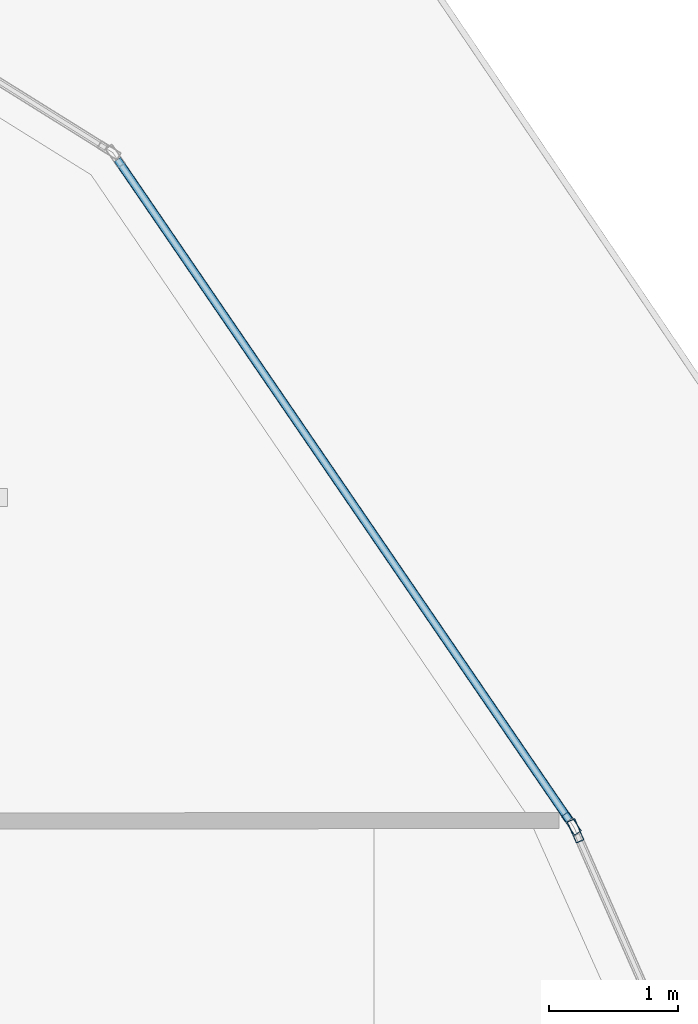
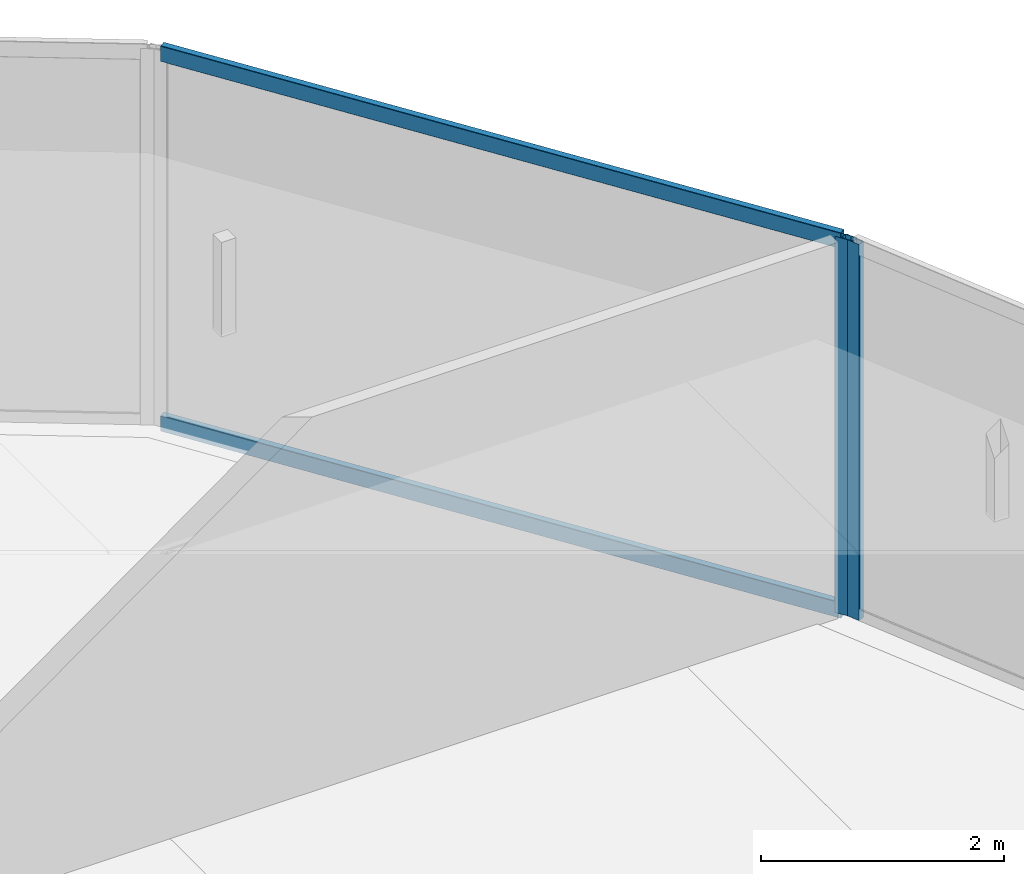
# One storey, part 21 of 37: 4 members, 2 elements without a shape of their own.
"""IFC4 building model written with IfcOpenShell, lengths in metres."""

from ifc_helpers import new_model, si_unit, direction, frame, origin, origin_2d, place, context, subcontext, project, spatial, hollow_rectangle, extrude, material, layer, layer_set, material_profile, profile_set, type_object, element, aggregate, save


model = new_model("IFC4")

# Units and contexts
model_context = context("Model", 3, precision=1e-05, world=origin(), true_north=direction((0.0, 1.0)))
body_context = subcontext(model_context, "Body", "Model", "MODEL_VIEW")
ifc_project = project(units=[si_unit("LENGTHUNIT", "METRE"), si_unit("AREAUNIT", "SQUARE_METRE"), si_unit("VOLUMEUNIT", "CUBIC_METRE"), si_unit("PLANEANGLEUNIT", "RADIAN"), si_unit("MASSUNIT", "GRAM", prefix="KILO")], contexts=[model_context])

# Site, building, storey
site_placement = place(None, origin())
site = spatial("IfcSite", under=ifc_project, at=site_placement, CompositionType="ELEMENT")
building_placement = place(site_placement, origin())
building = spatial("IfcBuilding", under=site, at=building_placement, Name="Qorvath Tower", CompositionType="ELEMENT")
storey_placement = place(building_placement, frame((0.0, 0.0, 188.85009765625)))
storey = spatial("IfcBuildingStorey", under=building, at=storey_placement, Name="L43", CompositionType="ELEMENT", Elevation=188.85009765625)

# Curtain wall, member
ifc_material_1 = material(Name="Anodised aluminium and triple low-E glass", Category="aluminium")
ifc_layer = layer(ifc_material_1, 0.179931640625)
ifc_layer_set = layer_set([ifc_layer], Name="CW-SYS-3")
curtain_wall_type = type_object("IfcCurtainWallType", Name="CW-SYS-3", PredefinedType="NOTDEFINED", material=ifc_layer_set)
curtain_wall_1_placement = place(storey_placement, origin())
curtain_wall_1 = element("IfcCurtainWall", 1, at=curtain_wall_1_placement, inside=storey, type_object=curtain_wall_type, Name="Curtain Wall CW-3 CW-T-L43-12.1", PredefinedType="NOTDEFINED")
ifc_material_2 = material(Name="Anodised aluminium 6063-T6", Category="aluminium")
ifc_material_profile_1 = material_profile(ifc_material_2, hollow_rectangle(XDim=0.06494140625, YDim=0.179931640625, WallThickness=0.00341796875, InnerFilletRadius=0.00341796875, OuterFilletRadius=0.007080078125, at=origin_2d()), Name="CWM 180x65")
ifc_profile_set_1 = profile_set([ifc_material_profile_1], Name="Anodised aluminium 6063-T6")
member_type_1 = type_object("IfcMemberType", Name="CWM-180", PredefinedType="MULLION", material=ifc_profile_set_1)
member_1_placement = place(storey_placement, frame((-1.74072265625, 16.5498046875, 0.0), z_axis=(0.0, 0.0, 1.0), x_axis=(-0.915549117046, -0.402206183786, 0.0)))
member_1 = element("IfcMember", 2, at=member_1_placement, type_object=member_type_1, Name="CW-3 mullion 2", PredefinedType="MULLION", context=body_context, shape_type="SweptSolid", body=[
    extrude(hollow_rectangle(XDim=0.06494140625, YDim=0.179931640625, WallThickness=0.00341796875, InnerFilletRadius=0.00341796875, OuterFilletRadius=0.007080078125, at=origin_2d()), origin(), (0.0, 0.0, 1.0), 3.77978515625),
])
aggregate(curtain_wall_1, [member_1])

# Curtain wall, members
curtain_wall_2_placement = place(storey_placement, origin())
curtain_wall_2 = element("IfcCurtainWall", 3, at=curtain_wall_2_placement, inside=storey, type_object=curtain_wall_type, Name="Curtain Wall CW-3 CW-T-L43-13.1", PredefinedType="NOTDEFINED")
member_2_placement = place(storey_placement, frame((-1.77197265625, 16.6064453125, 0.0), z_axis=(0.0, 0.0, 1.0), x_axis=(-0.825476698429, -0.564436196882, 0.0)))
member_2 = element("IfcMember", 4, at=member_2_placement, type_object=member_type_1, Name="CW-3 mullion 1", PredefinedType="MULLION", context=body_context, shape_type="SweptSolid", body=[
    extrude(hollow_rectangle(XDim=0.06494140625, YDim=0.179931640625, WallThickness=0.00341796875, InnerFilletRadius=0.00341796875, OuterFilletRadius=0.007080078125, at=origin_2d()), origin(), (0.0, 0.0, 1.0), 3.77978515625),
])
ifc_material_3 = material(Name="Anodised aluminium 6063-T6", Category="aluminium")
ifc_material_profile_2 = material_profile(ifc_material_3, hollow_rectangle(XDim=0.06494140625, YDim=0.159912109375, WallThickness=0.00341796875, InnerFilletRadius=0.00341796875, OuterFilletRadius=0.007080078125, at=origin_2d()), Name="CWT 160x65")
ifc_profile_set_2 = profile_set([ifc_material_profile_2], Name="Anodised aluminium 6063-T6")
member_type_2 = type_object("IfcMemberType", Name="CWT-160", PredefinedType="USERDEFINED", material=ifc_profile_set_2)
member_3_placement = place(storey_placement, frame((-1.790283203125, 16.63330078125, 0.032470703125), z_axis=(-0.564461187219, 0.825459610231, 0.0), x_axis=(-0.825459610231, -0.564461187219, 0.0)))
member_3 = element("IfcMember", 5, at=member_3_placement, type_object=member_type_2, Name="CW-3 transom 1.1", ObjectType="TRANSOM", PredefinedType="USERDEFINED", context=body_context, shape_type="SweptSolid", body=[
    extrude(hollow_rectangle(XDim=0.06494140625, YDim=0.159912109375, WallThickness=0.00341796875, InnerFilletRadius=0.00341796875, OuterFilletRadius=0.007080078125, at=origin_2d()), origin(), (0.0, 0.0, 1.0), 6.209228515625),
])
member_4_placement = place(storey_placement, frame((-1.790283203125, 16.63330078125, 3.747314453125), z_axis=(-0.564461187219, 0.825459610231, 0.0), x_axis=(-0.825459610231, -0.564461187219, 0.0)))
member_4 = element("IfcMember", 6, at=member_4_placement, type_object=member_type_2, Name="CW-3 transom 1.2", ObjectType="TRANSOM", PredefinedType="USERDEFINED", context=body_context, shape_type="SweptSolid", body=[
    extrude(hollow_rectangle(XDim=0.06494140625, YDim=0.159912109375, WallThickness=0.00341796875, InnerFilletRadius=0.00341796875, OuterFilletRadius=0.007080078125, at=origin_2d()), origin(), (0.0, 0.0, 1.0), 6.209228515625),
])
aggregate(curtain_wall_2, [member_2, member_3, member_4])

save(model, "model.ifc")
